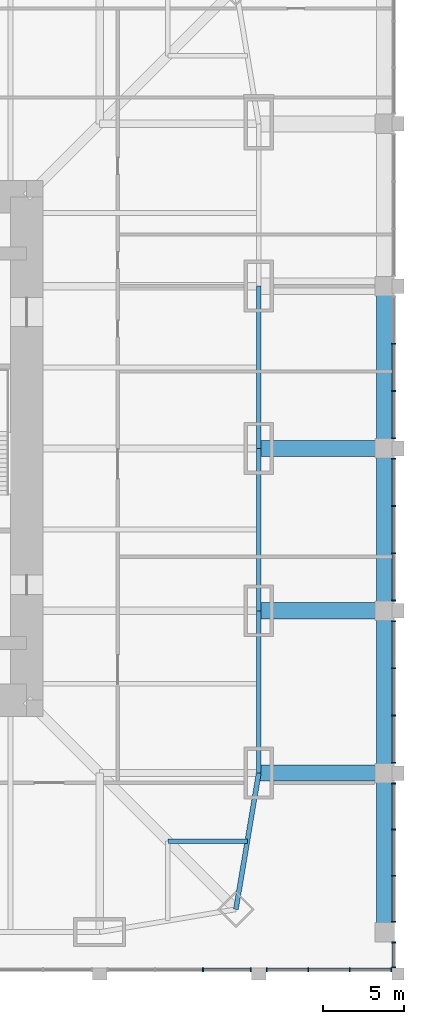
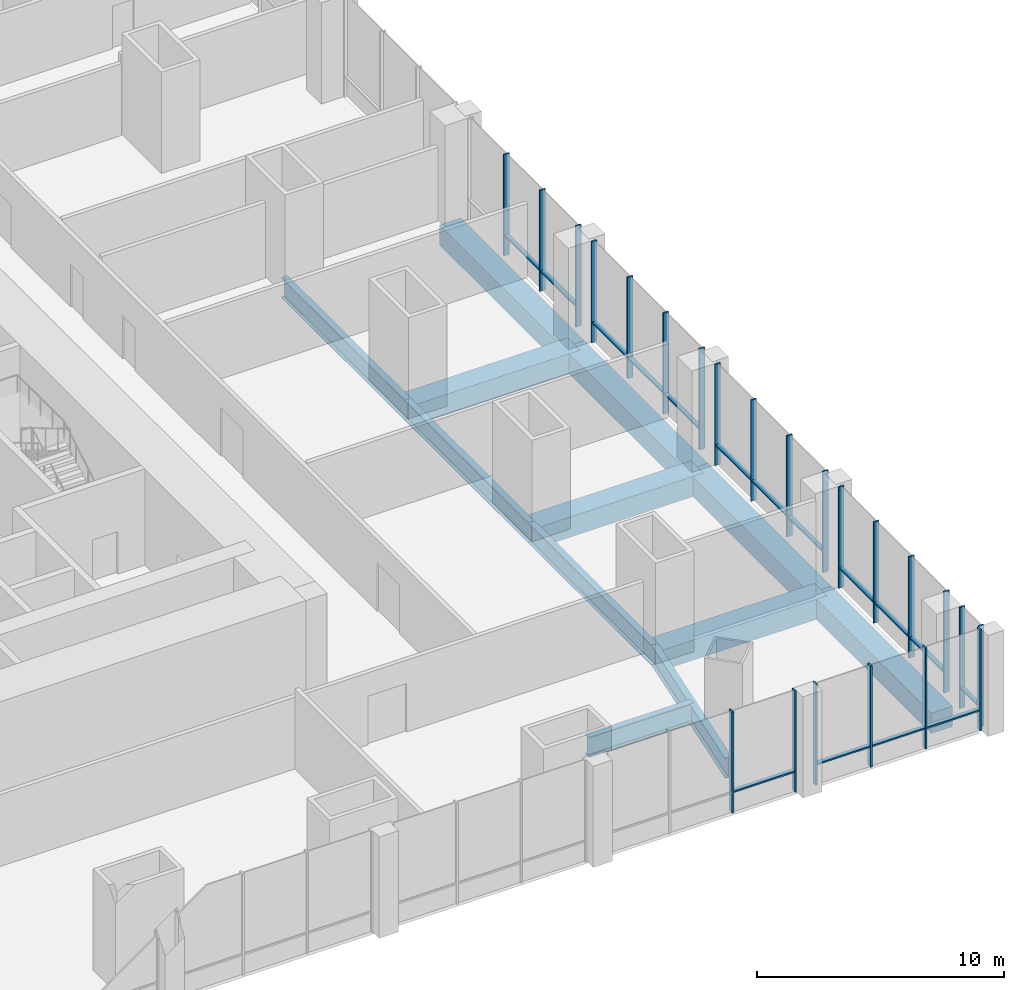
# One storey, part 8 of 22: 39 members, 12 beams, 7 elements without a shape of their own.
"""IFC4 building model written with IfcOpenShell, lengths in metres."""

from ifc_helpers import new_model, si_unit, direction, frame, origin, origin_2d, place, context, subcontext, project, spatial, rectangle, i_section, extrude, material, material_profile, profile_set, type_object, element, aggregate, save


model = new_model("IFC4")

# Units and contexts
model_context = context("Model", 3, precision=1e-05, world=origin(), true_north=direction((0.0, 1.0)))
body_context = subcontext(model_context, "Body", "Model", "MODEL_VIEW")
ifc_project = project(units=[si_unit("LENGTHUNIT", "METRE"), si_unit("AREAUNIT", "SQUARE_METRE"), si_unit("VOLUMEUNIT", "CUBIC_METRE"), si_unit("PLANEANGLEUNIT", "RADIAN"), si_unit("MASSUNIT", "GRAM", prefix="KILO")], contexts=[model_context])

# Site, building, storey
site_placement = place(None, origin())
site = spatial("IfcSite", under=ifc_project, at=site_placement, CompositionType="ELEMENT")
building_placement = place(site_placement, origin())
building = spatial("IfcBuilding", under=site, at=building_placement, Name="Khuree Lantern Residences", CompositionType="ELEMENT")
storey_placement = place(building_placement, frame((0.0, 0.0, 16.0)))
storey = spatial("IfcBuildingStorey", under=building, at=storey_placement, Name="L03", CompositionType="ELEMENT", Elevation=16.0)

# Beams
ifc_material_1 = material(Name="Steel S355", Category="steel")
ifc_material_profile_1 = material_profile(ifc_material_1, i_section(OverallWidth=0.300048828125, OverallDepth=1.0, WebThickness=0.01904296875, FlangeThickness=0.035888671875, FilletRadius=0.030029296875, at=origin_2d()), Name="HE 1000 B")
ifc_profile_set_1 = profile_set([ifc_material_profile_1], Name="Steel S355")
beam_type_1 = type_object("IfcBeamType", Name="B-03 SECONDARY BEAM HE 1000 B", PredefinedType="BEAM", material=ifc_profile_set_1)
beam_1_placement = place(storey_placement, frame((29.09716796875, -24.197021484375, -0.800048828125), z_axis=(-1.0, 0.0, 0.0), x_axis=(0.0, -1.0, 0.0)))
element("IfcBeam", 1, at=beam_1_placement, inside=storey, type_object=beam_type_1, Name="Secondary beam E6", PredefinedType="BEAM", context=body_context, shape_type="SweptSolid", body=[
    extrude(i_section(OverallWidth=0.300048828125, OverallDepth=1.0, WebThickness=0.01904296875, FlangeThickness=0.035888671875, FilletRadius=0.030029296875, at=origin_2d()), origin(), (0.0, 0.0, 1.0), 4.900146484375),
])
ifc_material_profile_2 = material_profile(ifc_material_1, i_section(OverallWidth=0.300048828125, OverallDepth=1.0, WebThickness=0.01904296875, FlangeThickness=0.035888671875, FilletRadius=0.030029296875, at=origin_2d()), Name="HE 1000 B")
ifc_profile_set_2 = profile_set([ifc_material_profile_2], Name="Steel S355")
beam_type_2 = type_object("IfcBeamType", Name="E-03 SPANDREL BEAM HE 1000 B", PredefinedType="SPANDREL", material=ifc_profile_set_2)
for number, where, z_axis, x_axis, name in (
    (2, (29.800048828125, 10.0, -0.800048828125), (0.0, -1.0, 0.0), (1.0, 0.0, 0.0), "Spandrel beam E3"),
    (3, (29.800048828125, 0.0, -0.800048828125), (0.0, -1.0, 0.0), (1.0, 0.0, 0.0), "Spandrel beam E4"),
    (4, (29.800048828125, -10.0, -0.800048828125), (0.0, -1.0, 0.0), (1.0, 0.0, 0.0), "Spandrel beam E5"),
):
    element("IfcBeam", number, at=place(storey_placement, frame(where, z_axis=z_axis, x_axis=x_axis)), inside=storey, type_object=beam_type_2, Name=name, PredefinedType="SPANDREL", context=body_context, shape_type="SweptSolid", body=[
        extrude(i_section(OverallWidth=0.300048828125, OverallDepth=1.0, WebThickness=0.01904296875, FlangeThickness=0.035888671875, FilletRadius=0.030029296875, at=origin_2d()), origin(), (0.0, 0.0, 1.0), 10.0),
    ])
beam_2_placement = place(storey_placement, frame((29.800048828125, -20.0, -0.800048828125), z_axis=(-0.165199022349, -0.986260251158, 0.0), x_axis=(0.986260251158, -0.165199022349, 0.0)))
element("IfcBeam", 5, at=beam_2_placement, inside=storey, type_object=beam_type_2, Name="Spandrel beam E6", PredefinedType="SPANDREL", context=body_context, shape_type="SweptSolid", body=[
    extrude(i_section(OverallWidth=0.300048828125, OverallDepth=1.0, WebThickness=0.01904296875, FlangeThickness=0.035888671875, FilletRadius=0.030029296875, at=origin_2d()), origin(), (0.0, 0.0, 1.0), 8.510986328125),
])

# Curtain wall, members
ifc_material_2 = material(Name="Bronze anodised aluminium", Category="aluminium")
curtain_wall_type = type_object("IfcCurtainWallType", Name="CW-P PODIUM STOREFRONT CURTAIN WALL", PredefinedType="USERDEFINED", material=ifc_material_2)
curtain_wall_1_placement = place(storey_placement, origin())
curtain_wall_1 = element("IfcCurtainWall", 6, at=curtain_wall_1_placement, inside=storey, type_object=curtain_wall_type, Name="L03 SOUTH FACE BAY 7 STOREFRONT", ObjectType="Storefront curtain wall", PredefinedType="USERDEFINED")
ifc_material_profile_3 = material_profile(ifc_material_2, rectangle(XDim=0.074951171875, YDim=0.25, at=origin_2d()), Name="M5 75X250")
ifc_profile_set_3 = profile_set([ifc_material_profile_3], Name="Bronze anodised aluminium")
member_type_1 = type_object("IfcMemberType", Name="MULLION M5 STOREFRONT 75X250", PredefinedType="MULLION", material=ifc_profile_set_3)
member_1_placement = place(storey_placement, frame((26.370849609375, -32.125, 0.0), z_axis=(0.0, 0.0, 1.0), x_axis=(1.0, 0.0, 0.0)))
member_1 = element("IfcMember", 7, at=member_1_placement, type_object=member_type_1, Name="L03 SOUTH FACE BAY 7 MULLION 3", PredefinedType="MULLION", context=body_context, shape_type="SweptSolid", body=[
    extrude(rectangle(XDim=0.074951171875, YDim=0.25, at=origin_2d()), origin(), (0.0, 0.0, 1.0), 5.0),
])
member_2_placement = place(storey_placement, frame((29.3125, -32.125, 0.0), z_axis=(0.0, 0.0, 1.0), x_axis=(1.0, 0.0, 0.0)))
member_2 = element("IfcMember", 8, at=member_2_placement, type_object=member_type_1, Name="L03 SOUTH FACE BAY 7 MULLION 4", PredefinedType="MULLION", context=body_context, shape_type="SweptSolid", body=[
    extrude(rectangle(XDim=0.074951171875, YDim=0.25, at=origin_2d()), origin(), (0.0, 0.0, 1.0), 5.0),
])

curtain_wall_2_placement = place(storey_placement, origin())
curtain_wall_2 = element("IfcCurtainWall", 9, at=curtain_wall_2_placement, inside=storey, type_object=curtain_wall_type, Name="L03 SOUTH FACE BAY 8 STOREFRONT", ObjectType="Storefront curtain wall", PredefinedType="USERDEFINED")
member_3_placement = place(storey_placement, frame((30.28759765625, -32.125, 0.0), z_axis=(0.0, 0.0, 1.0), x_axis=(1.0, 0.0, 0.0)))
member_3 = element("IfcMember", 10, at=member_3_placement, type_object=member_type_1, Name="L03 SOUTH FACE BAY 8 MULLION 1", PredefinedType="MULLION", context=body_context, shape_type="SweptSolid", body=[
    extrude(rectangle(XDim=0.074951171875, YDim=0.25, at=origin_2d()), origin(), (0.0, 0.0, 1.0), 5.0),
])
member_4_placement = place(storey_placement, frame((32.845947265625, -32.125, 0.0), z_axis=(0.0, 0.0, 1.0), x_axis=(1.0, 0.0, 0.0)))
member_4 = element("IfcMember", 11, at=member_4_placement, type_object=member_type_1, Name="L03 SOUTH FACE BAY 8 MULLION 2", PredefinedType="MULLION", context=body_context, shape_type="SweptSolid", body=[
    extrude(rectangle(XDim=0.074951171875, YDim=0.25, at=origin_2d()), origin(), (0.0, 0.0, 1.0), 5.0),
])
member_5_placement = place(storey_placement, frame((35.404052734375, -32.125, 0.0), z_axis=(0.0, 0.0, 1.0), x_axis=(1.0, 0.0, 0.0)))
member_5 = element("IfcMember", 12, at=member_5_placement, type_object=member_type_1, Name="L03 SOUTH FACE BAY 8 MULLION 3", PredefinedType="MULLION", context=body_context, shape_type="SweptSolid", body=[
    extrude(rectangle(XDim=0.074951171875, YDim=0.25, at=origin_2d()), origin(), (0.0, 0.0, 1.0), 5.0),
])
member_6_placement = place(storey_placement, frame((37.96240234375, -32.125, 0.0), z_axis=(0.0, 0.0, 1.0), x_axis=(1.0, 0.0, 0.0)))
member_6 = element("IfcMember", 13, at=member_6_placement, type_object=member_type_1, Name="L03 SOUTH FACE BAY 8 MULLION 4", PredefinedType="MULLION", context=body_context, shape_type="SweptSolid", body=[
    extrude(rectangle(XDim=0.074951171875, YDim=0.25, at=origin_2d()), origin(), (0.0, 0.0, 1.0), 5.0),
])

curtain_wall_3_placement = place(storey_placement, origin())
curtain_wall_3 = element("IfcCurtainWall", 14, at=curtain_wall_3_placement, inside=storey, type_object=curtain_wall_type, Name="L03 EAST FACE BAY 1 STOREFRONT", ObjectType="Storefront curtain wall", PredefinedType="USERDEFINED")
member_7_placement = place(storey_placement, frame((38.125, -31.96240234375, 0.0), z_axis=(0.0, 0.0, 1.0), x_axis=(0.0, 1.0, 0.0)))
member_7 = element("IfcMember", 15, at=member_7_placement, type_object=member_type_1, Name="L03 EAST FACE BAY 1 MULLION 1", PredefinedType="MULLION", context=body_context, shape_type="SweptSolid", body=[
    extrude(rectangle(XDim=0.074951171875, YDim=0.25, at=origin_2d()), origin(), (0.0, 0.0, 1.0), 5.0),
])
member_8_placement = place(storey_placement, frame((38.125, -30.4375, 0.0), z_axis=(0.0, 0.0, 1.0), x_axis=(0.0, 1.0, 0.0)))
member_8 = element("IfcMember", 16, at=member_8_placement, type_object=member_type_1, Name="L03 EAST FACE BAY 1 MULLION 2", PredefinedType="MULLION", context=body_context, shape_type="SweptSolid", body=[
    extrude(rectangle(XDim=0.074951171875, YDim=0.25, at=origin_2d()), origin(), (0.0, 0.0, 1.0), 5.0),
])

curtain_wall_4_placement = place(storey_placement, origin())
curtain_wall_4 = element("IfcCurtainWall", 17, at=curtain_wall_4_placement, inside=storey, type_object=curtain_wall_type, Name="L03 EAST FACE BAY 1B STOREFRONT", ObjectType="Storefront curtain wall", PredefinedType="USERDEFINED")
member_9_placement = place(storey_placement, frame((38.125, -29.16259765625, 0.0), z_axis=(0.0, 0.0, 1.0), x_axis=(0.0, 1.0, 0.0)))
member_9 = element("IfcMember", 18, at=member_9_placement, type_object=member_type_1, Name="L03 EAST FACE BAY 1B MULLION 1", PredefinedType="MULLION", context=body_context, shape_type="SweptSolid", body=[
    extrude(rectangle(XDim=0.074951171875, YDim=0.25, at=origin_2d()), origin(), (0.0, 0.0, 1.0), 5.0),
])
member_10_placement = place(storey_placement, frame((38.125, -26.32080078125, 0.0), z_axis=(0.0, 0.0, 1.0), x_axis=(0.0, 1.0, 0.0)))
member_10 = element("IfcMember", 19, at=member_10_placement, type_object=member_type_1, Name="L03 EAST FACE BAY 1B MULLION 2", PredefinedType="MULLION", context=body_context, shape_type="SweptSolid", body=[
    extrude(rectangle(XDim=0.074951171875, YDim=0.25, at=origin_2d()), origin(), (0.0, 0.0, 1.0), 5.0),
])
member_11_placement = place(storey_placement, frame((38.125, -23.479248046875, 0.0), z_axis=(0.0, 0.0, 1.0), x_axis=(0.0, 1.0, 0.0)))
member_11 = element("IfcMember", 20, at=member_11_placement, type_object=member_type_1, Name="L03 EAST FACE BAY 1B MULLION 3", PredefinedType="MULLION", context=body_context, shape_type="SweptSolid", body=[
    extrude(rectangle(XDim=0.074951171875, YDim=0.25, at=origin_2d()), origin(), (0.0, 0.0, 1.0), 5.0),
])
member_12_placement = place(storey_placement, frame((38.125, -20.637451171875, 0.0), z_axis=(0.0, 0.0, 1.0), x_axis=(0.0, 1.0, 0.0)))
member_12 = element("IfcMember", 21, at=member_12_placement, type_object=member_type_1, Name="L03 EAST FACE BAY 1B MULLION 4", PredefinedType="MULLION", context=body_context, shape_type="SweptSolid", body=[
    extrude(rectangle(XDim=0.074951171875, YDim=0.25, at=origin_2d()), origin(), (0.0, 0.0, 1.0), 5.0),
])

curtain_wall_5_placement = place(storey_placement, origin())
curtain_wall_5 = element("IfcCurtainWall", 22, at=curtain_wall_5_placement, inside=storey, type_object=curtain_wall_type, Name="L03 EAST FACE BAY 2 STOREFRONT", ObjectType="Storefront curtain wall", PredefinedType="USERDEFINED")
member_13_placement = place(storey_placement, frame((38.125, -19.362548828125, 0.0), z_axis=(0.0, 0.0, 1.0), x_axis=(0.0, 1.0, 0.0)))
member_13 = element("IfcMember", 23, at=member_13_placement, type_object=member_type_1, Name="L03 EAST FACE BAY 2 MULLION 1", PredefinedType="MULLION", context=body_context, shape_type="SweptSolid", body=[
    extrude(rectangle(XDim=0.074951171875, YDim=0.25, at=origin_2d()), origin(), (0.0, 0.0, 1.0), 5.0),
])
member_14_placement = place(storey_placement, frame((38.125, -16.4541015625, 0.0), z_axis=(0.0, 0.0, 1.0), x_axis=(0.0, 1.0, 0.0)))
member_14 = element("IfcMember", 24, at=member_14_placement, type_object=member_type_1, Name="L03 EAST FACE BAY 2 MULLION 2", PredefinedType="MULLION", context=body_context, shape_type="SweptSolid", body=[
    extrude(rectangle(XDim=0.074951171875, YDim=0.25, at=origin_2d()), origin(), (0.0, 0.0, 1.0), 5.0),
])
member_15_placement = place(storey_placement, frame((38.125, -13.5458984375, 0.0), z_axis=(0.0, 0.0, 1.0), x_axis=(0.0, 1.0, 0.0)))
member_15 = element("IfcMember", 25, at=member_15_placement, type_object=member_type_1, Name="L03 EAST FACE BAY 2 MULLION 3", PredefinedType="MULLION", context=body_context, shape_type="SweptSolid", body=[
    extrude(rectangle(XDim=0.074951171875, YDim=0.25, at=origin_2d()), origin(), (0.0, 0.0, 1.0), 5.0),
])
member_16_placement = place(storey_placement, frame((38.125, -10.637451171875, 0.0), z_axis=(0.0, 0.0, 1.0), x_axis=(0.0, 1.0, 0.0)))
member_16 = element("IfcMember", 26, at=member_16_placement, type_object=member_type_1, Name="L03 EAST FACE BAY 2 MULLION 4", PredefinedType="MULLION", context=body_context, shape_type="SweptSolid", body=[
    extrude(rectangle(XDim=0.074951171875, YDim=0.25, at=origin_2d()), origin(), (0.0, 0.0, 1.0), 5.0),
])

curtain_wall_6_placement = place(storey_placement, origin())
curtain_wall_6 = element("IfcCurtainWall", 27, at=curtain_wall_6_placement, inside=storey, type_object=curtain_wall_type, Name="L03 EAST FACE BAY 3 STOREFRONT", ObjectType="Storefront curtain wall", PredefinedType="USERDEFINED")
member_17_placement = place(storey_placement, frame((38.125, -9.362548828125, 0.0), z_axis=(0.0, 0.0, 1.0), x_axis=(0.0, 1.0, 0.0)))
member_17 = element("IfcMember", 28, at=member_17_placement, type_object=member_type_1, Name="L03 EAST FACE BAY 3 MULLION 1", PredefinedType="MULLION", context=body_context, shape_type="SweptSolid", body=[
    extrude(rectangle(XDim=0.074951171875, YDim=0.25, at=origin_2d()), origin(), (0.0, 0.0, 1.0), 5.0),
])
member_18_placement = place(storey_placement, frame((38.125, -6.4541015625, 0.0), z_axis=(0.0, 0.0, 1.0), x_axis=(0.0, 1.0, 0.0)))
member_18 = element("IfcMember", 29, at=member_18_placement, type_object=member_type_1, Name="L03 EAST FACE BAY 3 MULLION 2", PredefinedType="MULLION", context=body_context, shape_type="SweptSolid", body=[
    extrude(rectangle(XDim=0.074951171875, YDim=0.25, at=origin_2d()), origin(), (0.0, 0.0, 1.0), 5.0),
])
member_19_placement = place(storey_placement, frame((38.125, -3.5458984375, 0.0), z_axis=(0.0, 0.0, 1.0), x_axis=(0.0, 1.0, 0.0)))
member_19 = element("IfcMember", 30, at=member_19_placement, type_object=member_type_1, Name="L03 EAST FACE BAY 3 MULLION 3", PredefinedType="MULLION", context=body_context, shape_type="SweptSolid", body=[
    extrude(rectangle(XDim=0.074951171875, YDim=0.25, at=origin_2d()), origin(), (0.0, 0.0, 1.0), 5.0),
])
member_20_placement = place(storey_placement, frame((38.125, -0.637451171875, 0.0), z_axis=(0.0, 0.0, 1.0), x_axis=(0.0, 1.0, 0.0)))
member_20 = element("IfcMember", 31, at=member_20_placement, type_object=member_type_1, Name="L03 EAST FACE BAY 3 MULLION 4", PredefinedType="MULLION", context=body_context, shape_type="SweptSolid", body=[
    extrude(rectangle(XDim=0.074951171875, YDim=0.25, at=origin_2d()), origin(), (0.0, 0.0, 1.0), 5.0),
])

curtain_wall_7_placement = place(storey_placement, origin())
curtain_wall_7 = element("IfcCurtainWall", 32, at=curtain_wall_7_placement, inside=storey, type_object=curtain_wall_type, Name="L03 EAST FACE BAY 4 STOREFRONT", ObjectType="Storefront curtain wall", PredefinedType="USERDEFINED")
member_21_placement = place(storey_placement, frame((38.125, 0.637451171875, 0.0), z_axis=(0.0, 0.0, 1.0), x_axis=(0.0, 1.0, 0.0)))
member_21 = element("IfcMember", 33, at=member_21_placement, type_object=member_type_1, Name="L03 EAST FACE BAY 4 MULLION 1", PredefinedType="MULLION", context=body_context, shape_type="SweptSolid", body=[
    extrude(rectangle(XDim=0.074951171875, YDim=0.25, at=origin_2d()), origin(), (0.0, 0.0, 1.0), 5.0),
])
member_22_placement = place(storey_placement, frame((38.125, 3.5458984375, 0.0), z_axis=(0.0, 0.0, 1.0), x_axis=(0.0, 1.0, 0.0)))
member_22 = element("IfcMember", 34, at=member_22_placement, type_object=member_type_1, Name="L03 EAST FACE BAY 4 MULLION 2", PredefinedType="MULLION", context=body_context, shape_type="SweptSolid", body=[
    extrude(rectangle(XDim=0.074951171875, YDim=0.25, at=origin_2d()), origin(), (0.0, 0.0, 1.0), 5.0),
])
member_23_placement = place(storey_placement, frame((38.125, 6.4541015625, 0.0), z_axis=(0.0, 0.0, 1.0), x_axis=(0.0, 1.0, 0.0)))
member_23 = element("IfcMember", 35, at=member_23_placement, type_object=member_type_1, Name="L03 EAST FACE BAY 4 MULLION 3", PredefinedType="MULLION", context=body_context, shape_type="SweptSolid", body=[
    extrude(rectangle(XDim=0.074951171875, YDim=0.25, at=origin_2d()), origin(), (0.0, 0.0, 1.0), 5.0),
])

# Beams
ifc_material_3 = material(Name="Concrete C40/50", Category="concrete")
ifc_material_profile_4 = material_profile(ifc_material_3, rectangle(XDim=1.0, YDim=1.0, at=origin_2d()), Name="RC 1000X1000")
ifc_profile_set_4 = profile_set([ifc_material_profile_4], Name="Concrete C40/50")
beam_type_3 = type_object("IfcBeamType", Name="RB3 PODIUM BEAM RC 1000X1000", PredefinedType="BEAM", material=ifc_profile_set_4)
for number, where, z_axis, x_axis, name in (
    (36, (29.800048828125, -20.0, -0.800048828125), (1.0, 0.0, 0.0), (0.0, 1.0, 0.0), "Podium beam RB-2"),
    (37, (29.800048828125, -10.0, -0.800048828125), (1.0, 0.0, 0.0), (0.0, 1.0, 0.0), "Podium beam RB-4"),
    (38, (29.800048828125, 0.0, -0.800048828125), (1.0, 0.0, 0.0), (0.0, 1.0, 0.0), "Podium beam RB-6"),
):
    element("IfcBeam", number, at=place(storey_placement, frame(where, z_axis=z_axis, x_axis=x_axis)), inside=storey, type_object=beam_type_3, Name=name, PredefinedType="BEAM", context=body_context, shape_type="SweptSolid", body=[
        extrude(rectangle(XDim=1.0, YDim=1.0, at=origin_2d()), origin(), (0.0, 0.0, 1.0), 7.75),
    ])
beam_3_placement = place(storey_placement, frame((37.550048828125, -29.800048828125, -0.800048828125), z_axis=(0.0, 1.0, 0.0), x_axis=(-1.0, 0.0, 0.0)))
element("IfcBeam", 39, at=beam_3_placement, inside=storey, type_object=beam_type_3, Name="Podium beam RB-45", PredefinedType="BEAM", context=body_context, shape_type="SweptSolid", body=[
    extrude(rectangle(XDim=1.0, YDim=1.0, at=origin_2d()), origin(), (0.0, 0.0, 1.0), 9.800048828125),
])
for number, where, z_axis, x_axis, name in (
    (40, (37.550048828125, -20.0, -0.800048828125), (0.0, 1.0, 0.0), (-1.0, 0.0, 0.0), "Podium beam RB-46"),
    (41, (37.550048828125, -10.0, -0.800048828125), (0.0, 1.0, 0.0), (-1.0, 0.0, 0.0), "Podium beam RB-47"),
    (42, (37.550048828125, 0.0, -0.800048828125), (0.0, 1.0, 0.0), (-1.0, 0.0, 0.0), "Podium beam RB-48"),
):
    element("IfcBeam", number, at=place(storey_placement, frame(where, z_axis=z_axis, x_axis=x_axis)), inside=storey, type_object=beam_type_3, Name=name, PredefinedType="BEAM", context=body_context, shape_type="SweptSolid", body=[
        extrude(rectangle(XDim=1.0, YDim=1.0, at=origin_2d()), origin(), (0.0, 0.0, 1.0), 10.0),
    ])

# Member
ifc_material_profile_5 = material_profile(ifc_material_2, rectangle(XDim=0.199951171875, YDim=0.074951171875, at=origin_2d()), Name="T5 200X75")
ifc_profile_set_5 = profile_set([ifc_material_profile_5], Name="Bronze anodised aluminium")
member_type_2 = type_object("IfcMemberType", Name="TRANSOM T5 STOREFRONT 200X75", PredefinedType="USERDEFINED", material=ifc_profile_set_5)
member_24_placement = place(storey_placement, frame((26.408447265625, -32.1201171875, 1.0), z_axis=(1.0, 0.0, 0.0), x_axis=(0.0, 1.0, 0.0)))
member_24 = element("IfcMember", 43, at=member_24_placement, type_object=member_type_2, Name="L03 SOUTH FACE BAY 7 TRANSOM 3", ObjectType="Transom", PredefinedType="USERDEFINED", context=body_context, shape_type="SweptSolid", body=[
    extrude(rectangle(XDim=0.199951171875, YDim=0.074951171875, at=origin_2d()), origin(), (0.0, 0.0, 1.0), 2.866455078125),
])

aggregate(curtain_wall_1, [member_1, member_2, member_24])

member_25_placement = place(storey_placement, frame((30.324951171875, -32.1201171875, 1.0), z_axis=(1.0, 0.0, 0.0), x_axis=(0.0, 1.0, 0.0)))
member_25 = element("IfcMember", 44, at=member_25_placement, type_object=member_type_2, Name="L03 SOUTH FACE BAY 8 TRANSOM 1", ObjectType="Transom", PredefinedType="USERDEFINED", context=body_context, shape_type="SweptSolid", body=[
    extrude(rectangle(XDim=0.199951171875, YDim=0.074951171875, at=origin_2d()), origin(), (0.0, 0.0, 1.0), 2.4833984375),
])

member_26_placement = place(storey_placement, frame((32.88330078125, -32.1201171875, 1.0), z_axis=(1.0, 0.0, 0.0), x_axis=(0.0, 1.0, 0.0)))
member_26 = element("IfcMember", 45, at=member_26_placement, type_object=member_type_2, Name="L03 SOUTH FACE BAY 8 TRANSOM 2", ObjectType="Transom", PredefinedType="USERDEFINED", context=body_context, shape_type="SweptSolid", body=[
    extrude(rectangle(XDim=0.199951171875, YDim=0.074951171875, at=origin_2d()), origin(), (0.0, 0.0, 1.0), 2.4833984375),
])

member_27_placement = place(storey_placement, frame((35.441650390625, -32.1201171875, 1.0), z_axis=(1.0, 0.0, 0.0), x_axis=(0.0, 1.0, 0.0)))
member_27 = element("IfcMember", 46, at=member_27_placement, type_object=member_type_2, Name="L03 SOUTH FACE BAY 8 TRANSOM 3", ObjectType="Transom", PredefinedType="USERDEFINED", context=body_context, shape_type="SweptSolid", body=[
    extrude(rectangle(XDim=0.199951171875, YDim=0.074951171875, at=origin_2d()), origin(), (0.0, 0.0, 1.0), 2.4833984375),
])

aggregate(curtain_wall_2, [member_3, member_4, member_5, member_6, member_25, member_26, member_27])

member_28_placement = place(storey_placement, frame((38.1201171875, -31.925048828125, 1.0), z_axis=(0.0, 1.0, 0.0), x_axis=(-1.0, 0.0, 0.0)))
member_28 = element("IfcMember", 47, at=member_28_placement, type_object=member_type_2, Name="L03 EAST FACE BAY 1 TRANSOM 1", ObjectType="Transom", PredefinedType="USERDEFINED", context=body_context, shape_type="SweptSolid", body=[
    extrude(rectangle(XDim=0.199951171875, YDim=0.074951171875, at=origin_2d()), origin(), (0.0, 0.0, 1.0), 1.449951171875),
])

aggregate(curtain_wall_3, [member_7, member_8, member_28])

member_29_placement = place(storey_placement, frame((38.1201171875, -29.125, 1.0), z_axis=(0.0, 1.0, 0.0), x_axis=(-1.0, 0.0, 0.0)))
member_29 = element("IfcMember", 48, at=member_29_placement, type_object=member_type_2, Name="L03 EAST FACE BAY 1B TRANSOM 1", ObjectType="Transom", PredefinedType="USERDEFINED", context=body_context, shape_type="SweptSolid", body=[
    extrude(rectangle(XDim=0.199951171875, YDim=0.074951171875, at=origin_2d()), origin(), (0.0, 0.0, 1.0), 2.7666015625),
])

member_30_placement = place(storey_placement, frame((38.1201171875, -26.283447265625, 1.0), z_axis=(0.0, 1.0, 0.0), x_axis=(-1.0, 0.0, 0.0)))
member_30 = element("IfcMember", 49, at=member_30_placement, type_object=member_type_2, Name="L03 EAST FACE BAY 1B TRANSOM 2", ObjectType="Transom", PredefinedType="USERDEFINED", context=body_context, shape_type="SweptSolid", body=[
    extrude(rectangle(XDim=0.199951171875, YDim=0.074951171875, at=origin_2d()), origin(), (0.0, 0.0, 1.0), 2.766845703125),
])

member_31_placement = place(storey_placement, frame((38.1201171875, -23.441650390625, 1.0), z_axis=(0.0, 1.0, 0.0), x_axis=(-1.0, 0.0, 0.0)))
member_31 = element("IfcMember", 50, at=member_31_placement, type_object=member_type_2, Name="L03 EAST FACE BAY 1B TRANSOM 3", ObjectType="Transom", PredefinedType="USERDEFINED", context=body_context, shape_type="SweptSolid", body=[
    extrude(rectangle(XDim=0.199951171875, YDim=0.074951171875, at=origin_2d()), origin(), (0.0, 0.0, 1.0), 2.7666015625),
])

aggregate(curtain_wall_4, [member_9, member_10, member_11, member_12, member_29, member_30, member_31])

member_32_placement = place(storey_placement, frame((38.1201171875, -19.324951171875, 1.0), z_axis=(0.0, 1.0, 0.0), x_axis=(-1.0, 0.0, 0.0)))
member_32 = element("IfcMember", 51, at=member_32_placement, type_object=member_type_2, Name="L03 EAST FACE BAY 2 TRANSOM 1", ObjectType="Transom", PredefinedType="USERDEFINED", context=body_context, shape_type="SweptSolid", body=[
    extrude(rectangle(XDim=0.199951171875, YDim=0.074951171875, at=origin_2d()), origin(), (0.0, 0.0, 1.0), 2.833251953125),
])

member_33_placement = place(storey_placement, frame((38.1201171875, -16.416748046875, 1.0), z_axis=(0.0, 1.0, 0.0), x_axis=(-1.0, 0.0, 0.0)))
member_33 = element("IfcMember", 52, at=member_33_placement, type_object=member_type_2, Name="L03 EAST FACE BAY 2 TRANSOM 2", ObjectType="Transom", PredefinedType="USERDEFINED", context=body_context, shape_type="SweptSolid", body=[
    extrude(rectangle(XDim=0.199951171875, YDim=0.074951171875, at=origin_2d()), origin(), (0.0, 0.0, 1.0), 2.83349609375),
])

member_34_placement = place(storey_placement, frame((38.1201171875, -13.50830078125, 1.0), z_axis=(0.0, 1.0, 0.0), x_axis=(-1.0, 0.0, 0.0)))
member_34 = element("IfcMember", 53, at=member_34_placement, type_object=member_type_2, Name="L03 EAST FACE BAY 2 TRANSOM 3", ObjectType="Transom", PredefinedType="USERDEFINED", context=body_context, shape_type="SweptSolid", body=[
    extrude(rectangle(XDim=0.199951171875, YDim=0.074951171875, at=origin_2d()), origin(), (0.0, 0.0, 1.0), 2.833251953125),
])

aggregate(curtain_wall_5, [member_13, member_14, member_15, member_16, member_32, member_33, member_34])

member_35_placement = place(storey_placement, frame((38.1201171875, -9.324951171875, 1.0), z_axis=(0.0, 1.0, 0.0), x_axis=(-1.0, 0.0, 0.0)))
member_35 = element("IfcMember", 54, at=member_35_placement, type_object=member_type_2, Name="L03 EAST FACE BAY 3 TRANSOM 1", ObjectType="Transom", PredefinedType="USERDEFINED", context=body_context, shape_type="SweptSolid", body=[
    extrude(rectangle(XDim=0.199951171875, YDim=0.074951171875, at=origin_2d()), origin(), (0.0, 0.0, 1.0), 2.833251953125),
])

member_36_placement = place(storey_placement, frame((38.1201171875, -6.416748046875, 1.0), z_axis=(0.0, 1.0, 0.0), x_axis=(-1.0, 0.0, 0.0)))
member_36 = element("IfcMember", 55, at=member_36_placement, type_object=member_type_2, Name="L03 EAST FACE BAY 3 TRANSOM 2", ObjectType="Transom", PredefinedType="USERDEFINED", context=body_context, shape_type="SweptSolid", body=[
    extrude(rectangle(XDim=0.199951171875, YDim=0.074951171875, at=origin_2d()), origin(), (0.0, 0.0, 1.0), 2.83349609375),
])

member_37_placement = place(storey_placement, frame((38.1201171875, -3.50830078125, 1.0), z_axis=(0.0, 1.0, 0.0), x_axis=(-1.0, 0.0, 0.0)))
member_37 = element("IfcMember", 56, at=member_37_placement, type_object=member_type_2, Name="L03 EAST FACE BAY 3 TRANSOM 3", ObjectType="Transom", PredefinedType="USERDEFINED", context=body_context, shape_type="SweptSolid", body=[
    extrude(rectangle(XDim=0.199951171875, YDim=0.074951171875, at=origin_2d()), origin(), (0.0, 0.0, 1.0), 2.833251953125),
])

aggregate(curtain_wall_6, [member_17, member_18, member_19, member_20, member_35, member_36, member_37])

member_38_placement = place(storey_placement, frame((38.1201171875, 0.675048828125, 1.0), z_axis=(0.0, 1.0, 0.0), x_axis=(-1.0, 0.0, 0.0)))
member_38 = element("IfcMember", 57, at=member_38_placement, type_object=member_type_2, Name="L03 EAST FACE BAY 4 TRANSOM 1", ObjectType="Transom", PredefinedType="USERDEFINED", context=body_context, shape_type="SweptSolid", body=[
    extrude(rectangle(XDim=0.199951171875, YDim=0.074951171875, at=origin_2d()), origin(), (0.0, 0.0, 1.0), 2.833251953125),
])

member_39_placement = place(storey_placement, frame((38.1201171875, 3.583251953125, 1.0), z_axis=(0.0, 1.0, 0.0), x_axis=(-1.0, 0.0, 0.0)))
member_39 = element("IfcMember", 58, at=member_39_placement, type_object=member_type_2, Name="L03 EAST FACE BAY 4 TRANSOM 2", ObjectType="Transom", PredefinedType="USERDEFINED", context=body_context, shape_type="SweptSolid", body=[
    extrude(rectangle(XDim=0.199951171875, YDim=0.074951171875, at=origin_2d()), origin(), (0.0, 0.0, 1.0), 2.83349609375),
])

aggregate(curtain_wall_7, [member_21, member_22, member_23, member_38, member_39])

save(model, "model.ifc")
